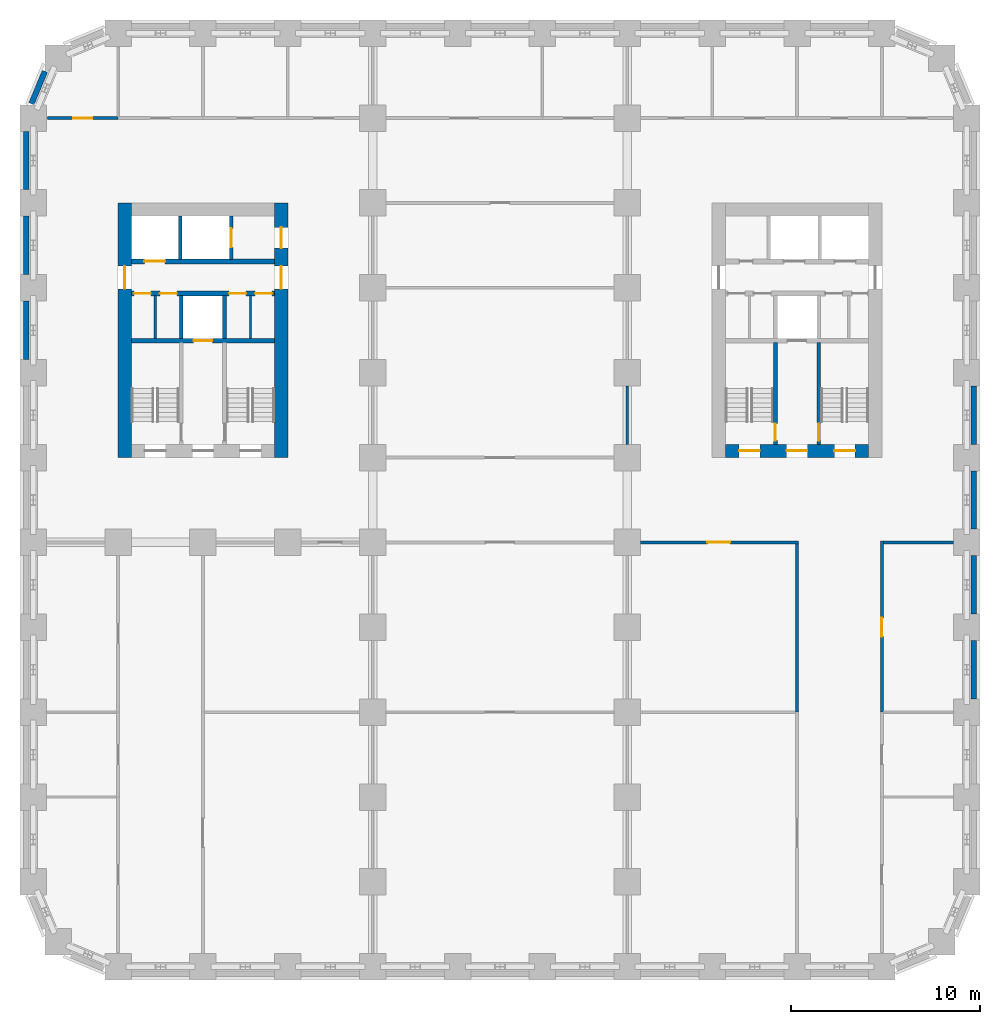
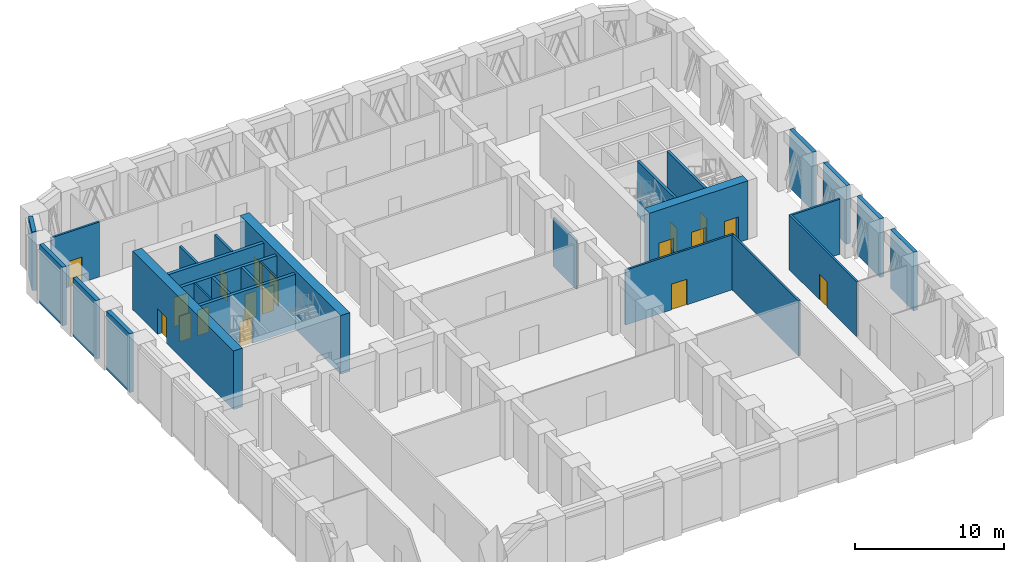
# One storey, part 4 of 9: 28 walls, 18 doors, 18 openings.
"""IFC4 building model written with IfcOpenShell, lengths in metres."""

from ifc_helpers import new_model, si_unit, direction, frame, frame_2d, origin, place, context, subcontext, project, spatial, rectangle, extrude, material, layer, layer_set, type_object, element, fill, save


model = new_model("IFC4")

# Units and contexts
model_context = context("Model", 3, precision=1e-05, world=origin(), true_north=direction((0.0, 1.0)))
body_context = subcontext(model_context, "Body", "Model", "MODEL_VIEW")
ifc_project = project(units=[si_unit("LENGTHUNIT", "METRE"), si_unit("AREAUNIT", "SQUARE_METRE"), si_unit("VOLUMEUNIT", "CUBIC_METRE"), si_unit("PLANEANGLEUNIT", "RADIAN"), si_unit("MASSUNIT", "GRAM", prefix="KILO")], contexts=[model_context])

# Site, building, storey
site_placement = place(None, origin())
site = spatial("IfcSite", under=ifc_project, at=site_placement, CompositionType="ELEMENT")
building_placement = place(site_placement, origin())
building = spatial("IfcBuilding", under=site, at=building_placement, Name="Girih Gate Residences", CompositionType="ELEMENT")
storey_placement = place(building_placement, frame((0.0, 0.0, 75.199951171875)))
storey = spatial("IfcBuildingStorey", under=building, at=storey_placement, Name="L20", CompositionType="ELEMENT", Elevation=75.199951171875)

# Wall
ifc_material_1 = material(Name="Gypsum board on steel studs", Category="steel")
ifc_layer_1 = layer(ifc_material_1, 0.14990234375)
ifc_layer_set_1 = layer_set([ifc_layer_1], Name="Compartment wall 150 mm")
wall_type_1 = type_object("IfcWallType", Name="Compartment wall 150 mm", PredefinedType="PARTITIONING", material=ifc_layer_set_1)
wall_1_placement = place(storey_placement, frame((31.5, 27.699951171875, 0.0), z_axis=(0.0, 0.0, 1.0), x_axis=(0.0, 1.0, 0.0)))
element("IfcWall", 1, at=wall_1_placement, inside=storey, type_object=wall_type_1, Name="L20 partition", PredefinedType="PARTITIONING", context=body_context, shape_type="SweptSolid", body=[
    extrude(rectangle(XDim=3.10009765625, YDim=0.14990234375, at=frame_2d((1.550048828125, 0.0))), origin(), (0.0, 0.0, 1.0), 3.97998046875),
])

# Wall, opening, door
wall_2_placement = place(storey_placement, frame((40.574951171875, 22.5, 0.0), z_axis=(0.0, 0.0, 1.0), x_axis=(-1.0, 0.0, 0.0)))
wall_2 = element("IfcWall", 2, at=wall_2_placement, inside=storey, type_object=wall_type_1, Name="L20 partition", PredefinedType="PARTITIONING", context=body_context, shape_type="SweptSolid", body=[
    extrude(rectangle(XDim=8.375, YDim=0.14990234375, at=frame_2d((4.1875, 0.0))), origin(), (0.0, 0.0, 1.0), 4.5),
])
opening_1_placement = place(wall_2_placement, frame((3.625, 0.0, 0.0)))
opening_1 = element("IfcOpeningElement", 3, at=opening_1_placement, cuts=wall_2, Name="Opening D-L20-S-007", PredefinedType="OPENING", context=body_context, shape_type="SweptSolid", body=[
    extrude(rectangle(XDim=1.199951171875, YDim=2.10009765625, at=frame_2d((0.60009765625, 1.050048828125))), frame((0.0, 0.0849609375, 0.0), z_axis=(0.0, -1.0, 0.0), x_axis=(1.0, 0.0, 0.0)), (0.0, 0.0, 1.0), 0.169921875),
])
ifc_material_2 = material(Name="Timber, fire-rated core", Category="wood")
door_type_1 = type_object("IfcDoorType", Name="Gallery fire door 1200x2100 FD30S", OperationType="SINGLE_SWING_LEFT", PredefinedType="DOOR", material=ifc_material_2)
door_1_placement = place(opening_1_placement, origin())
door_1 = element("IfcDoor", 4, at=door_1_placement, inside=storey, type_object=door_type_1, Name="Door L20-007", OperationType="SINGLE_SWING_RIGHT", OverallHeight=2.10009765625, OverallWidth=1.199951171875, PredefinedType="DOOR", context=body_context, shape_type="SweptSolid", body=[
    extrude(rectangle(XDim=1.199951171875, YDim=2.10009765625, at=frame_2d((0.60009765625, 1.050048828125))), frame((0.0, 0.02490234375, 0.0), z_axis=(0.0, -1.0, 0.0), x_axis=(1.0, 0.0, 0.0)), (0.0, 0.0, 1.0), 0.050048828125),
])
fill(opening_1, door_1)

# Walls
wall_3_placement = place(storey_placement, frame((45.074951171875, 22.5, 0.0), z_axis=(0.0, 0.0, 1.0), x_axis=(1.0, 0.0, 0.0)))
element("IfcWall", 5, at=wall_3_placement, inside=storey, type_object=wall_type_1, Name="L20 partition", PredefinedType="PARTITIONING", context=body_context, shape_type="SweptSolid", body=[
    extrude(rectangle(XDim=3.72509765625, YDim=0.14990234375, at=frame_2d((1.862548828125, 0.0))), origin(), (0.0, 0.0, 1.0), 4.5),
])
wall_4_placement = place(storey_placement, frame((40.5, 13.5, 0.0), z_axis=(0.0, 0.0, 1.0), x_axis=(0.0, 1.0, 0.0)))
element("IfcWall", 6, at=wall_4_placement, inside=storey, type_object=wall_type_1, Name="L20 partition", PredefinedType="PARTITIONING", context=body_context, shape_type="SweptSolid", body=[
    extrude(rectangle(XDim=8.925048828125, YDim=0.14990234375, at=frame_2d((4.46240234375, 0.0))), origin(), (0.0, 0.0, 1.0), 4.5),
])

# Wall, opening, door
wall_5_placement = place(storey_placement, frame((45.0, 22.574951171875, 0.0), z_axis=(0.0, 0.0, 1.0), x_axis=(0.0, -1.0, 0.0)))
wall_5 = element("IfcWall", 7, at=wall_5_placement, inside=storey, type_object=wall_type_1, Name="L20 partition", PredefinedType="PARTITIONING", context=body_context, shape_type="SweptSolid", body=[
    extrude(rectangle(XDim=9.074951171875, YDim=0.14990234375, at=frame_2d((4.53759765625, 0.0))), origin(), (0.0, 0.0, 1.0), 4.5),
])
opening_2_placement = place(wall_5_placement, frame((4.074951171875, 0.0, 0.0)))
opening_2 = element("IfcOpeningElement", 8, at=opening_2_placement, cuts=wall_5, Name="Opening D-L20-S-015", PredefinedType="OPENING", context=body_context, shape_type="SweptSolid", body=[
    extrude(rectangle(XDim=1.0, YDim=2.10009765625, at=frame_2d((0.5, 1.050048828125))), frame((0.0, 0.0849609375, 0.0), z_axis=(0.0, -1.0, 0.0), x_axis=(1.0, 0.0, 0.0)), (0.0, 0.0, 1.0), 0.169921875),
])
ifc_material_3 = material(Name="Painted steel, fire-resisting", Category="steel")
door_type_2 = type_object("IfcDoorType", Name="Plant room door 1000x2100 FD60", OperationType="SINGLE_SWING_LEFT", PredefinedType="DOOR", material=ifc_material_3)
door_2_placement = place(opening_2_placement, origin())
door_2 = element("IfcDoor", 9, at=door_2_placement, inside=storey, type_object=door_type_2, Name="Door L20-015", OperationType="SINGLE_SWING_RIGHT", OverallHeight=2.10009765625, OverallWidth=1.0, PredefinedType="DOOR", context=body_context, shape_type="SweptSolid", body=[
    extrude(rectangle(XDim=1.0, YDim=2.10009765625, at=frame_2d((0.5, 1.050048828125))), frame((0.0, 0.02490234375, 0.0), z_axis=(0.0, -1.0, 0.0), x_axis=(1.0, 0.0, 0.0)), (0.0, 0.0, 1.0), 0.050048828125),
])
fill(opening_2, door_2)

wall_6_placement = place(storey_placement, frame((0.757568359375, 45.0, 0.0), z_axis=(0.0, 0.0, 1.0), x_axis=(1.0, 0.0, 0.0)))
wall_6 = element("IfcWall", 10, at=wall_6_placement, inside=storey, type_object=wall_type_1, Name="L20 partition", PredefinedType="PARTITIONING", context=body_context, shape_type="SweptSolid", body=[
    extrude(rectangle(XDim=3.742431640625, YDim=0.14990234375, at=frame_2d((1.87109375, 0.0))), origin(), (0.0, 0.0, 1.0), 4.5),
])
opening_3_placement = place(wall_6_placement, frame((1.37109375, 0.0, 0.0)))
opening_3 = element("IfcOpeningElement", 11, at=opening_3_placement, cuts=wall_6, Name="Opening D-L20-S-017", PredefinedType="OPENING", context=body_context, shape_type="SweptSolid", body=[
    extrude(rectangle(XDim=1.0, YDim=2.10009765625, at=frame_2d((0.5, 1.050048828125))), frame((0.0, 0.0849609375, 0.0), z_axis=(0.0, -1.0, 0.0), x_axis=(1.0, 0.0, 0.0)), (0.0, 0.0, 1.0), 0.169921875),
])
door_3_placement = place(opening_3_placement, origin())
door_3 = element("IfcDoor", 12, at=door_3_placement, inside=storey, type_object=door_type_2, Name="Door L20-017", OperationType="SINGLE_SWING_RIGHT", OverallHeight=2.10009765625, OverallWidth=1.0, PredefinedType="DOOR", context=body_context, shape_type="SweptSolid", body=[
    extrude(rectangle(XDim=1.0, YDim=2.10009765625, at=frame_2d((0.5, 1.050048828125))), frame((0.0, 0.02490234375, 0.0), z_axis=(0.0, -1.0, 0.0), x_axis=(1.0, 0.0, 0.0)), (0.0, 0.0, 1.0), 0.050048828125),
])
fill(opening_3, door_3)

ifc_material_4 = material(Name="Concrete C60/75", Category="concrete")
ifc_layer_2 = layer(ifc_material_4, 0.699951171875)
ifc_layer_set_2 = layer_set([ifc_layer_2], Name="Core wall RC 700 Concrete C60/75")
wall_type_2 = type_object("IfcWallType", Name="Core wall RC 700 Concrete C60/75", PredefinedType="SOLIDWALL", material=ifc_layer_set_2)
wall_7_placement = place(storey_placement, frame((4.85009765625, 27.0, 0.0), z_axis=(0.0, 0.0, 1.0), x_axis=(0.0, 1.0, 0.0)))
wall_7 = element("IfcWall", 13, at=wall_7_placement, inside=storey, type_object=wall_type_2, Name="Core wall W-W L20", PredefinedType="SOLIDWALL", context=body_context, shape_type="SweptSolid", body=[
    extrude(rectangle(XDim=13.5, YDim=0.699951171875, at=frame_2d((6.75, 0.0))), origin(), (0.0, 0.0, 1.0), 4.800048828125),
])
opening_4_placement = place(wall_7_placement, frame((8.949951171875, 0.0, 0.0)))
opening_4 = element("IfcOpeningElement", 14, at=opening_4_placement, cuts=wall_7, Name="Opening D-L20-W-014", PredefinedType="OPENING", context=body_context, shape_type="SweptSolid", body=[
    extrude(rectangle(XDim=1.199951171875, YDim=2.10009765625, at=frame_2d((0.60009765625, 1.050048828125))), frame((0.0, 0.35986328125, 0.0), z_axis=(0.0, -1.0, 0.0), x_axis=(1.0, 0.0, 0.0)), (0.0, 0.0, 1.0), 0.719970703125),
])
door_type_3 = type_object("IfcDoorType", Name="Fire door 1200x2100", OperationType="SINGLE_SWING_LEFT", PredefinedType="DOOR", material=ifc_material_3)
door_4_placement = place(opening_4_placement, origin())
door_4 = element("IfcDoor", 15, at=door_4_placement, inside=storey, type_object=door_type_3, Name="L20 W core door ll-w", OperationType="SINGLE_SWING_LEFT", OverallHeight=2.10009765625, OverallWidth=1.199951171875, PredefinedType="DOOR", context=body_context, shape_type="SweptSolid", body=[
    extrude(rectangle(XDim=1.199951171875, YDim=2.10009765625, at=frame_2d((0.60009765625, 1.050048828125))), frame((0.0, 0.02490234375, 0.0), z_axis=(0.0, -1.0, 0.0), x_axis=(1.0, 0.0, 0.0)), (0.0, 0.0, 1.0), 0.050048828125),
])
fill(opening_4, door_4)

# Wall, openings, doors
wall_8_placement = place(storey_placement, frame((13.14990234375, 27.0, 0.0), z_axis=(0.0, 0.0, 1.0), x_axis=(0.0, 1.0, 0.0)))
wall_8 = element("IfcWall", 16, at=wall_8_placement, inside=storey, type_object=wall_type_2, Name="Core wall W-E L20", PredefinedType="SOLIDWALL", context=body_context, shape_type="SweptSolid", body=[
    extrude(rectangle(XDim=13.5, YDim=0.699951171875, at=frame_2d((6.75, 0.0))), origin(), (0.0, 0.0, 1.0), 4.800048828125),
])
opening_5_placement = place(wall_8_placement, frame((11.10009765625, 0.0, 0.0)))
opening_5 = element("IfcOpeningElement", 17, at=opening_5_placement, cuts=wall_8, Name="Opening D-L20-W-013", PredefinedType="OPENING", context=body_context, shape_type="SweptSolid", body=[
    extrude(rectangle(XDim=1.10009765625, YDim=2.10009765625, at=frame_2d((0.550048828125, 1.050048828125))), frame((0.0, 0.35986328125, 0.0), z_axis=(0.0, -1.0, 0.0), x_axis=(1.0, 0.0, 0.0)), (0.0, 0.0, 1.0), 0.719970703125),
])
opening_6_placement = place(wall_8_placement, frame((8.949951171875, 0.0, 0.0)))
opening_6 = element("IfcOpeningElement", 18, at=opening_6_placement, cuts=wall_8, Name="Opening D-L20-W-015", PredefinedType="OPENING", context=body_context, shape_type="SweptSolid", body=[
    extrude(rectangle(XDim=1.199951171875, YDim=2.10009765625, at=frame_2d((0.60009765625, 1.050048828125))), frame((0.0, 0.35986328125, 0.0), z_axis=(0.0, -1.0, 0.0), x_axis=(1.0, 0.0, 0.0)), (0.0, 0.0, 1.0), 0.719970703125),
])
door_type_4 = type_object("IfcDoorType", Name="Fire door 1100x2100", OperationType="SINGLE_SWING_LEFT", PredefinedType="DOOR", material=ifc_material_3)
door_5_placement = place(opening_5_placement, origin())
door_5 = element("IfcDoor", 19, at=door_5_placement, inside=storey, type_object=door_type_4, Name="L20 W core door ffl2-e", OperationType="SINGLE_SWING_LEFT", OverallHeight=2.10009765625, OverallWidth=1.10009765625, PredefinedType="DOOR", context=body_context, shape_type="SweptSolid", body=[
    extrude(rectangle(XDim=1.10009765625, YDim=2.10009765625, at=frame_2d((0.550048828125, 1.050048828125))), frame((0.0, 0.02490234375, 0.0), z_axis=(0.0, -1.0, 0.0), x_axis=(1.0, 0.0, 0.0)), (0.0, 0.0, 1.0), 0.050048828125),
])
fill(opening_5, door_5)
door_6_placement = place(opening_6_placement, origin())
door_6 = element("IfcDoor", 20, at=door_6_placement, inside=storey, type_object=door_type_3, Name="L20 W core door ll-e", OperationType="SINGLE_SWING_LEFT", OverallHeight=2.10009765625, OverallWidth=1.199951171875, PredefinedType="DOOR", context=body_context, shape_type="SweptSolid", body=[
    extrude(rectangle(XDim=1.199951171875, YDim=2.10009765625, at=frame_2d((0.60009765625, 1.050048828125))), frame((0.0, 0.02490234375, 0.0), z_axis=(0.0, -1.0, 0.0), x_axis=(1.0, 0.0, 0.0)), (0.0, 0.0, 1.0), 0.050048828125),
])
fill(opening_6, door_6)

wall_9_placement = place(storey_placement, frame((36.699951171875, 27.35009765625, 0.0), z_axis=(0.0, 0.0, 1.0), x_axis=(1.0, 0.0, 0.0)))
wall_9 = element("IfcWall", 21, at=wall_9_placement, inside=storey, type_object=wall_type_2, Name="Core wall E-S L20", PredefinedType="SOLIDWALL", context=body_context, shape_type="SweptSolid", body=[
    extrude(rectangle(XDim=7.60009765625, YDim=0.699951171875, at=frame_2d((3.800048828125, 0.0))), origin(), (0.0, 0.0, 1.0), 4.800048828125),
])
opening_7_placement = place(wall_9_placement, frame((5.77490234375, 0.0, 0.0)))
opening_7 = element("IfcOpeningElement", 22, at=opening_7_placement, cuts=wall_9, Name="Opening D-L20-E-011", PredefinedType="OPENING", context=body_context, shape_type="SweptSolid", body=[
    extrude(rectangle(XDim=1.10009765625, YDim=2.10009765625, at=frame_2d((0.550048828125, 1.050048828125))), frame((0.0, 0.35986328125, 0.0), z_axis=(0.0, -1.0, 0.0), x_axis=(1.0, 0.0, 0.0)), (0.0, 0.0, 1.0), 0.719970703125),
])
opening_8_placement = place(wall_9_placement, frame((3.25, 0.0, 0.0)))
opening_8 = element("IfcOpeningElement", 23, at=opening_8_placement, cuts=wall_9, Name="Opening D-L20-E-012", PredefinedType="OPENING", context=body_context, shape_type="SweptSolid", body=[
    extrude(rectangle(XDim=1.10009765625, YDim=2.10009765625, at=frame_2d((0.550048828125, 1.050048828125))), frame((0.0, 0.35986328125, 0.0), z_axis=(0.0, -1.0, 0.0), x_axis=(1.0, 0.0, 0.0)), (0.0, 0.0, 1.0), 0.719970703125),
])
opening_9_placement = place(wall_9_placement, frame((0.72509765625, 0.0, 0.0)))
opening_9 = element("IfcOpeningElement", 24, at=opening_9_placement, cuts=wall_9, Name="Opening D-L20-E-013", PredefinedType="OPENING", context=body_context, shape_type="SweptSolid", body=[
    extrude(rectangle(XDim=1.10009765625, YDim=2.10009765625, at=frame_2d((0.550048828125, 1.050048828125))), frame((0.0, 0.35986328125, 0.0), z_axis=(0.0, -1.0, 0.0), x_axis=(1.0, 0.0, 0.0)), (0.0, 0.0, 1.0), 0.719970703125),
])
door_7_placement = place(opening_7_placement, origin())
door_7 = element("IfcDoor", 25, at=door_7_placement, inside=storey, type_object=door_type_4, Name="L20 E core door sta-out", OperationType="SINGLE_SWING_LEFT", OverallHeight=2.10009765625, OverallWidth=1.10009765625, PredefinedType="DOOR", context=body_context, shape_type="SweptSolid", body=[
    extrude(rectangle(XDim=1.10009765625, YDim=2.10009765625, at=frame_2d((0.550048828125, 1.050048828125))), frame((0.0, 0.02490234375, 0.0), z_axis=(0.0, -1.0, 0.0), x_axis=(1.0, 0.0, 0.0)), (0.0, 0.0, 1.0), 0.050048828125),
])
fill(opening_7, door_7)
door_8_placement = place(opening_8_placement, origin())
door_8 = element("IfcDoor", 26, at=door_8_placement, inside=storey, type_object=door_type_4, Name="L20 E core door ffl-out", OperationType="SINGLE_SWING_LEFT", OverallHeight=2.10009765625, OverallWidth=1.10009765625, PredefinedType="DOOR", context=body_context, shape_type="SweptSolid", body=[
    extrude(rectangle(XDim=1.10009765625, YDim=2.10009765625, at=frame_2d((0.550048828125, 1.050048828125))), frame((0.0, 0.02490234375, 0.0), z_axis=(0.0, -1.0, 0.0), x_axis=(1.0, 0.0, 0.0)), (0.0, 0.0, 1.0), 0.050048828125),
])
fill(opening_8, door_8)
door_9_placement = place(opening_9_placement, origin())
door_9 = element("IfcDoor", 27, at=door_9_placement, inside=storey, type_object=door_type_4, Name="L20 E core door stb-out", OperationType="SINGLE_SWING_LEFT", OverallHeight=2.10009765625, OverallWidth=1.10009765625, PredefinedType="DOOR", context=body_context, shape_type="SweptSolid", body=[
    extrude(rectangle(XDim=1.10009765625, YDim=2.10009765625, at=frame_2d((0.550048828125, 1.050048828125))), frame((0.0, 0.02490234375, 0.0), z_axis=(0.0, -1.0, 0.0), x_axis=(1.0, 0.0, 0.0)), (0.0, 0.0, 1.0), 0.050048828125),
])
fill(opening_9, door_9)

# Wall, opening, door
ifc_material_5 = material(Name="Concrete C40/50", Category="concrete")
ifc_layer_3 = layer(ifc_material_5, 0.25)
ifc_layer_set_3 = layer_set([ifc_layer_3], Name="Lift shaft wall 250")
wall_type_3 = type_object("IfcWallType", Name="Lift shaft wall 250", PredefinedType="SOLIDWALL", material=ifc_layer_set_3)
wall_10_placement = place(storey_placement, frame((5.199951171875, 33.199951171875, 0.0), z_axis=(0.0, 0.0, 1.0), x_axis=(1.0, 0.0, 0.0)))
wall_10 = element("IfcWall", 28, at=wall_10_placement, inside=storey, type_object=wall_type_3, Name="L20 W core wall H1", PredefinedType="SOLIDWALL", context=body_context, shape_type="SweptSolid", body=[
    extrude(rectangle(XDim=7.60009765625, YDim=0.25, at=frame_2d((3.800048828125, 0.0))), origin(), (0.0, 0.0, 1.0), 4.5),
])
opening_10_placement = place(wall_10_placement, frame((3.300048828125, 0.0, 0.0)))
opening_10 = element("IfcOpeningElement", 29, at=opening_10_placement, cuts=wall_10, Name="Opening D-L20-W-005", PredefinedType="OPENING", context=body_context, shape_type="SweptSolid", body=[
    extrude(rectangle(XDim=1.0, YDim=2.10009765625, at=frame_2d((0.5, 1.050048828125))), frame((0.0, 0.135009765625, 0.0), z_axis=(0.0, -1.0, 0.0), x_axis=(1.0, 0.0, 0.0)), (0.0, 0.0, 1.0), 0.27001953125),
])
ifc_material_6 = material(Name="Stainless steel, fire-resisting", Category="steel")
door_type_5 = type_object("IfcDoorType", Name="Firefighting lift landing door 1000x2100", OperationType="SLIDING_TO_LEFT", PredefinedType="DOOR", material=ifc_material_6)
door_10_placement = place(opening_10_placement, origin())
door_10 = element("IfcDoor", 30, at=door_10_placement, inside=storey, type_object=door_type_5, Name="L20 lift FF-W landing door", OperationType="SLIDING_TO_LEFT", OverallHeight=2.10009765625, OverallWidth=1.0, PredefinedType="DOOR", context=body_context, shape_type="SweptSolid", body=[
    extrude(rectangle(XDim=1.0, YDim=2.10009765625, at=frame_2d((0.5, 1.050048828125))), frame((0.0, 0.02490234375, 0.0), z_axis=(0.0, -1.0, 0.0), x_axis=(1.0, 0.0, 0.0)), (0.0, 0.0, 1.0), 0.050048828125),
])
fill(opening_10, door_10)

# Wall, openings, doors
wall_11_placement = place(storey_placement, frame((5.199951171875, 35.699951171875, 0.0), z_axis=(0.0, 0.0, 1.0), x_axis=(1.0, 0.0, 0.0)))
wall_11 = element("IfcWall", 31, at=wall_11_placement, inside=storey, type_object=wall_type_3, Name="L20 W core wall H2", PredefinedType="SOLIDWALL", context=body_context, shape_type="SweptSolid", body=[
    extrude(rectangle(XDim=7.60009765625, YDim=0.25, at=frame_2d((3.800048828125, 0.0))), origin(), (0.0, 0.0, 1.0), 4.5),
])
opening_11_placement = place(wall_11_placement, frame((0.137451171875, 0.0, 0.0)))
opening_11 = element("IfcOpeningElement", 32, at=opening_11_placement, cuts=wall_11, Name="Opening D-L20-W-006", PredefinedType="OPENING", context=body_context, shape_type="SweptSolid", body=[
    extrude(rectangle(XDim=0.89990234375, YDim=2.10009765625, at=frame_2d((0.449951171875, 1.050048828125))), frame((0.0, 0.135009765625, 0.0), z_axis=(0.0, -1.0, 0.0), x_axis=(1.0, 0.0, 0.0)), (0.0, 0.0, 1.0), 0.27001953125),
])
opening_12_placement = place(wall_11_placement, frame((1.512451171875, 0.0, 0.0)))
opening_12 = element("IfcOpeningElement", 33, at=opening_12_placement, cuts=wall_11, Name="Opening D-L20-W-007", PredefinedType="OPENING", context=body_context, shape_type="SweptSolid", body=[
    extrude(rectangle(XDim=0.89990234375, YDim=2.10009765625, at=frame_2d((0.449951171875, 1.050048828125))), frame((0.0, 0.135009765625, 0.0), z_axis=(0.0, -1.0, 0.0), x_axis=(1.0, 0.0, 0.0)), (0.0, 0.0, 1.0), 0.27001953125),
])
opening_13_placement = place(wall_11_placement, frame((5.1875, 0.0, 0.0)))
opening_13 = element("IfcOpeningElement", 34, at=opening_13_placement, cuts=wall_11, Name="Opening D-L20-W-008", PredefinedType="OPENING", context=body_context, shape_type="SweptSolid", body=[
    extrude(rectangle(XDim=0.89990234375, YDim=2.10009765625, at=frame_2d((0.449951171875, 1.050048828125))), frame((0.0, 0.135009765625, 0.0), z_axis=(0.0, -1.0, 0.0), x_axis=(1.0, 0.0, 0.0)), (0.0, 0.0, 1.0), 0.27001953125),
])
opening_14_placement = place(wall_11_placement, frame((6.5625, 0.0, 0.0)))
opening_14 = element("IfcOpeningElement", 35, at=opening_14_placement, cuts=wall_11, Name="Opening D-L20-W-009", PredefinedType="OPENING", context=body_context, shape_type="SweptSolid", body=[
    extrude(rectangle(XDim=0.89990234375, YDim=2.10009765625, at=frame_2d((0.449951171875, 1.050048828125))), frame((0.0, 0.135009765625, 0.0), z_axis=(0.0, -1.0, 0.0), x_axis=(1.0, 0.0, 0.0)), (0.0, 0.0, 1.0), 0.27001953125),
])
door_type_6 = type_object("IfcDoorType", Name="Fire door 900x2100", OperationType="SINGLE_SWING_LEFT", PredefinedType="DOOR", material=ifc_material_3)
door_11_placement = place(opening_11_placement, origin())
door_11 = element("IfcDoor", 36, at=door_11_placement, inside=storey, type_object=door_type_6, Name="L20 W mechanical store door", OperationType="SINGLE_SWING_LEFT", OverallHeight=2.10009765625, OverallWidth=0.89990234375, PredefinedType="DOOR", context=body_context, shape_type="SweptSolid", body=[
    extrude(rectangle(XDim=0.89990234375, YDim=2.10009765625, at=frame_2d((0.449951171875, 1.050048828125))), frame((0.0, 0.02490234375, 0.0), z_axis=(0.0, -1.0, 0.0), x_axis=(1.0, 0.0, 0.0)), (0.0, 0.0, 1.0), 0.050048828125),
])
fill(opening_11, door_11)
door_12_placement = place(opening_12_placement, origin())
door_12 = element("IfcDoor", 37, at=door_12_placement, inside=storey, type_object=door_type_6, Name="L20 W mechanical store door", OperationType="SINGLE_SWING_LEFT", OverallHeight=2.10009765625, OverallWidth=0.89990234375, PredefinedType="DOOR", context=body_context, shape_type="SweptSolid", body=[
    extrude(rectangle(XDim=0.89990234375, YDim=2.10009765625, at=frame_2d((0.449951171875, 1.050048828125))), frame((0.0, 0.02490234375, 0.0), z_axis=(0.0, -1.0, 0.0), x_axis=(1.0, 0.0, 0.0)), (0.0, 0.0, 1.0), 0.050048828125),
])
fill(opening_12, door_12)
door_13_placement = place(opening_13_placement, origin())
door_13 = element("IfcDoor", 38, at=door_13_placement, inside=storey, type_object=door_type_6, Name="L20 W mechanical store door", OperationType="SINGLE_SWING_LEFT", OverallHeight=2.10009765625, OverallWidth=0.89990234375, PredefinedType="DOOR", context=body_context, shape_type="SweptSolid", body=[
    extrude(rectangle(XDim=0.89990234375, YDim=2.10009765625, at=frame_2d((0.449951171875, 1.050048828125))), frame((0.0, 0.02490234375, 0.0), z_axis=(0.0, -1.0, 0.0), x_axis=(1.0, 0.0, 0.0)), (0.0, 0.0, 1.0), 0.050048828125),
])
fill(opening_13, door_13)
door_14_placement = place(opening_14_placement, origin())
door_14 = element("IfcDoor", 39, at=door_14_placement, inside=storey, type_object=door_type_6, Name="L20 W mechanical electrical room door", OperationType="SINGLE_SWING_LEFT", OverallHeight=2.10009765625, OverallWidth=0.89990234375, PredefinedType="DOOR", context=body_context, shape_type="SweptSolid", body=[
    extrude(rectangle(XDim=0.89990234375, YDim=2.10009765625, at=frame_2d((0.449951171875, 1.050048828125))), frame((0.0, 0.02490234375, 0.0), z_axis=(0.0, -1.0, 0.0), x_axis=(1.0, 0.0, 0.0)), (0.0, 0.0, 1.0), 0.050048828125),
])
fill(opening_14, door_14)

# Wall, opening, door
wall_12_placement = place(storey_placement, frame((5.199951171875, 37.39990234375, 0.0), z_axis=(0.0, 0.0, 1.0), x_axis=(1.0, 0.0, 0.0)))
wall_12 = element("IfcWall", 40, at=wall_12_placement, inside=storey, type_object=wall_type_3, Name="L20 W core wall H3", PredefinedType="SOLIDWALL", context=body_context, shape_type="SweptSolid", body=[
    extrude(rectangle(XDim=7.60009765625, YDim=0.25, at=frame_2d((3.800048828125, 0.0))), origin(), (0.0, 0.0, 1.0), 4.5),
])
opening_15_placement = place(wall_12_placement, frame((0.699951171875, 0.0, 0.0)))
opening_15 = element("IfcOpeningElement", 41, at=opening_15_placement, cuts=wall_12, Name="Opening D-L20-W-003", PredefinedType="OPENING", context=body_context, shape_type="SweptSolid", body=[
    extrude(rectangle(XDim=1.10009765625, YDim=2.39990234375, at=frame_2d((0.550048828125, 1.199951171875))), frame((0.0, 0.135009765625, 0.0), z_axis=(0.0, -1.0, 0.0), x_axis=(1.0, 0.0, 0.0)), (0.0, 0.0, 1.0), 0.27001953125),
])
ifc_material_7 = material(Name="Stainless steel", Category="steel")
door_type_7 = type_object("IfcDoorType", Name="Lift landing door 1100x2400", OperationType="SLIDING_TO_LEFT", PredefinedType="DOOR", material=ifc_material_7)
door_15_placement = place(opening_15_placement, origin())
door_15 = element("IfcDoor", 42, at=door_15_placement, inside=storey, type_object=door_type_7, Name="L20 lift LR-W1 landing door", OperationType="SLIDING_TO_LEFT", OverallHeight=2.39990234375, OverallWidth=1.10009765625, PredefinedType="DOOR", context=body_context, shape_type="SweptSolid", body=[
    extrude(rectangle(XDim=1.10009765625, YDim=2.39990234375, at=frame_2d((0.550048828125, 1.199951171875))), frame((0.0, 0.02490234375, 0.0), z_axis=(0.0, -1.0, 0.0), x_axis=(1.0, 0.0, 0.0)), (0.0, 0.0, 1.0), 0.050048828125),
])
fill(opening_15, door_15)

# Walls
ifc_material_8 = material(Name="Precast concrete C50/60", Category="concrete")
ifc_layer_4 = layer(ifc_material_8, 0.080078125, Name="Outer leaf")
ifc_material_9 = material(Name="Rigid PIR insulation")
ifc_layer_5 = layer(ifc_material_9, 0.14990234375, Name="Insulation")
ifc_material_10 = material(Name="Precast concrete C40/50", Category="concrete")
ifc_layer_6 = layer(ifc_material_10, 0.070068359375, Name="Inner leaf")
ifc_layer_set_4 = layer_set([ifc_layer_4, ifc_layer_5, ifc_layer_6], Name="Precast concrete C50/60 external wall 300")
wall_type_4 = type_object("IfcWallType", Name="Precast concrete C50/60 external wall 300", PredefinedType="SOLIDWALL", material=ifc_layer_set_4)
for number, where, z_axis, x_axis, name in (
    (43, (49.875, 17.300048828125, 0.0), (0.0, 0.0, 1.0), (0.0, -1.0, 0.0), "External wall E0495_0045.2"),
    (44, (49.875, 21.800048828125, 0.0), (0.0, 0.0, 1.0), (0.0, -1.0, 0.0), "External wall E0495_0045.3"),
    (45, (49.875, 26.300048828125, 0.0), (0.0, 0.0, 1.0), (0.0, -1.0, 0.0), "External wall E0495_0045.4"),
    (46, (49.875, 30.800048828125, 0.0), (0.0, 0.0, 1.0), (0.0, -1.0, 0.0), "External wall E0495_0045.5"),
):
    element("IfcWall", number, at=place(storey_placement, frame(where, z_axis=z_axis, x_axis=x_axis)), inside=storey, type_object=wall_type_4, Name=name, PredefinedType="SOLIDWALL", context=body_context, shape_type="SweptSolid", body=[
        extrude(rectangle(XDim=3.10009765625, YDim=0.300048828125, at=frame_2d((1.550048828125, 0.0))), origin(), (0.0, 0.0, 1.0), 4.800048828125),
    ])
wall_13_placement = place(storey_placement, frame((-0.09228515625, 45.75732421875, 0.0), z_axis=(0.0, 0.0, 1.0), x_axis=(0.382737135771, 0.923857286003, 0.0)))
element("IfcWall", 47, at=wall_13_placement, inside=storey, type_object=wall_type_4, Name="External wall NW0013_0482.0", PredefinedType="SOLIDWALL", context=body_context, shape_type="SweptSolid", body=[
    extrude(rectangle(XDim=1.865234375, YDim=0.300048828125, at=frame_2d((0.9326171875, 0.0))), origin(), (0.0, 0.0, 1.0), 4.800048828125),
])
for number, where, z_axis, x_axis, name in (
    (48, (-0.375, 41.199951171875, 0.0), (0.0, 0.0, 1.0), (0.0, 1.0, 0.0), "External wall W0000_0450.0"),
    (49, (-0.375, 36.699951171875, 0.0), (0.0, 0.0, 1.0), (0.0, 1.0, 0.0), "External wall W0000_0450.1"),
    (50, (-0.375, 32.199951171875, 0.0), (0.0, 0.0, 1.0), (0.0, 1.0, 0.0), "External wall W0000_0450.2"),
):
    element("IfcWall", number, at=place(storey_placement, frame(where, z_axis=z_axis, x_axis=x_axis)), inside=storey, type_object=wall_type_4, Name=name, PredefinedType="SOLIDWALL", context=body_context, shape_type="SweptSolid", body=[
        extrude(rectangle(XDim=3.10009765625, YDim=0.300048828125, at=frame_2d((1.550048828125, 0.0))), origin(), (0.0, 0.0, 1.0), 4.800048828125),
    ])
ifc_layer_7 = layer(ifc_material_5, 0.175048828125)
ifc_layer_set_5 = layer_set([ifc_layer_7], Name="Riser shaft wall 175")
wall_type_5 = type_object("IfcWallType", Name="Riser shaft wall 175", PredefinedType="SOLIDWALL", material=ifc_layer_set_5)
wall_14_placement = place(storey_placement, frame((7.800048828125, 37.5, 0.0), z_axis=(0.0, 0.0, 1.0), x_axis=(0.0, 1.0, 0.0)))
element("IfcWall", 51, at=wall_14_placement, inside=storey, type_object=wall_type_5, Name="L20 W core wall V1c", PredefinedType="SOLIDWALL", context=body_context, shape_type="SweptSolid", body=[
    extrude(rectangle(XDim=2.300048828125, YDim=0.175048828125, at=frame_2d((1.14990234375, 0.0))), origin(), (0.0, 0.0, 1.0), 4.5),
])

# Wall, opening, door
wall_15_placement = place(storey_placement, frame((10.5, 37.5, 0.0), z_axis=(0.0, 0.0, 1.0), x_axis=(0.0, 1.0, 0.0)))
wall_15 = element("IfcWall", 52, at=wall_15_placement, inside=storey, type_object=wall_type_5, Name="L20 W core wall V2c", PredefinedType="SOLIDWALL", context=body_context, shape_type="SweptSolid", body=[
    extrude(rectangle(XDim=2.300048828125, YDim=0.175048828125, at=frame_2d((1.14990234375, 0.0))), origin(), (0.0, 0.0, 1.0), 4.5),
])
opening_16_placement = place(wall_15_placement, frame((0.64990234375, 0.0, 0.0)))
opening_16 = element("IfcOpeningElement", 53, at=opening_16_placement, cuts=wall_15, Name="Opening D-L20-W-004", PredefinedType="OPENING", context=body_context, shape_type="SweptSolid", body=[
    extrude(rectangle(XDim=1.0, YDim=2.10009765625, at=frame_2d((0.5, 1.050048828125))), frame((0.0, 0.097412109375, 0.0), z_axis=(0.0, -1.0, 0.0), x_axis=(1.0, 0.0, 0.0)), (0.0, 0.0, 1.0), 0.195068359375),
])
door_16_placement = place(opening_16_placement, origin())
door_16 = element("IfcDoor", 54, at=door_16_placement, inside=storey, type_object=door_type_5, Name="L20 lift FF-W2 landing door", OperationType="SLIDING_TO_LEFT", OverallHeight=2.10009765625, OverallWidth=1.0, PredefinedType="DOOR", context=body_context, shape_type="SweptSolid", body=[
    extrude(rectangle(XDim=1.0, YDim=2.10009765625, at=frame_2d((0.5, 1.050048828125))), frame((0.0, 0.02490234375, 0.0), z_axis=(0.0, -1.0, 0.0), x_axis=(1.0, 0.0, 0.0)), (0.0, 0.0, 1.0), 0.050048828125),
])
fill(opening_16, door_16)

# Walls
ifc_layer_8 = layer(ifc_material_5, 0.199951171875)
ifc_layer_set_6 = layer_set([ifc_layer_8], Name="Shaft wall 200")
wall_type_6 = type_object("IfcWallType", Name="Shaft wall 200", PredefinedType="SOLIDWALL", material=ifc_layer_set_6)
for number, where, z_axis, x_axis, name in (
    (55, (7.85009765625, 33.300048828125, 0.0), (0.0, 0.0, 1.0), (0.0, 1.0, 0.0), "L20 W core wall V1b"),
    (56, (10.14990234375, 33.300048828125, 0.0), (0.0, 0.0, 1.0), (0.0, 1.0, 0.0), "L20 W core wall V2b"),
):
    element("IfcWall", number, at=place(storey_placement, frame(where, z_axis=z_axis, x_axis=x_axis)), inside=storey, type_object=wall_type_6, Name=name, PredefinedType="SOLIDWALL", context=body_context, shape_type="SweptSolid", body=[
        extrude(rectangle(XDim=2.300048828125, YDim=0.199951171875, at=frame_2d((1.14990234375, 0.0))), origin(), (0.0, 0.0, 1.0), 4.5),
    ])

# Wall, opening, door
wall_16_placement = place(storey_placement, frame((41.64990234375, 27.699951171875, 0.0), z_axis=(0.0, 0.0, 1.0), x_axis=(0.0, 1.0, 0.0)))
wall_16 = element("IfcWall", 57, at=wall_16_placement, inside=storey, type_object=wall_type_6, Name="L20 E core wall V1a", PredefinedType="SOLIDWALL", context=body_context, shape_type="SweptSolid", body=[
    extrude(rectangle(XDim=5.400146484375, YDim=0.199951171875, at=frame_2d((2.7001953125, 0.0))), origin(), (0.0, 0.0, 1.0), 4.5),
])
opening_17_placement = place(wall_16_placement, frame((0.199951171875, 0.0, 0.0)))
opening_17 = element("IfcOpeningElement", 58, at=opening_17_placement, cuts=wall_16, Name="Opening D-L20-E-001", PredefinedType="OPENING", context=body_context, shape_type="SweptSolid", body=[
    extrude(rectangle(XDim=0.89990234375, YDim=2.10009765625, at=frame_2d((0.449951171875, 1.050048828125))), frame((0.0, 0.10986328125, 0.0), z_axis=(0.0, -1.0, 0.0), x_axis=(1.0, 0.0, 0.0)), (0.0, 0.0, 1.0), 0.219970703125),
])
door_17_placement = place(opening_17_placement, origin())
door_17 = element("IfcDoor", 59, at=door_17_placement, inside=storey, type_object=door_type_6, Name="L20 E door stair 1 to firefighting lobby", OperationType="SINGLE_SWING_LEFT", OverallHeight=2.10009765625, OverallWidth=0.89990234375, PredefinedType="DOOR", context=body_context, shape_type="SweptSolid", body=[
    extrude(rectangle(XDim=0.89990234375, YDim=2.10009765625, at=frame_2d((0.449951171875, 1.050048828125))), frame((0.0, 0.02490234375, 0.0), z_axis=(0.0, -1.0, 0.0), x_axis=(1.0, 0.0, 0.0)), (0.0, 0.0, 1.0), 0.050048828125),
])
fill(opening_17, door_17)

wall_17_placement = place(storey_placement, frame((39.35009765625, 27.699951171875, 0.0), z_axis=(0.0, 0.0, 1.0), x_axis=(0.0, 1.0, 0.0)))
wall_17 = element("IfcWall", 60, at=wall_17_placement, inside=storey, type_object=wall_type_6, Name="L20 E core wall V2a", PredefinedType="SOLIDWALL", context=body_context, shape_type="SweptSolid", body=[
    extrude(rectangle(XDim=5.400146484375, YDim=0.199951171875, at=frame_2d((2.7001953125, 0.0))), origin(), (0.0, 0.0, 1.0), 4.5),
])
opening_18_placement = place(wall_17_placement, frame((0.199951171875, 0.0, 0.0)))
opening_18 = element("IfcOpeningElement", 61, at=opening_18_placement, cuts=wall_17, Name="Opening D-L20-E-002", PredefinedType="OPENING", context=body_context, shape_type="SweptSolid", body=[
    extrude(rectangle(XDim=0.89990234375, YDim=2.10009765625, at=frame_2d((0.449951171875, 1.050048828125))), frame((0.0, 0.10986328125, 0.0), z_axis=(0.0, -1.0, 0.0), x_axis=(1.0, 0.0, 0.0)), (0.0, 0.0, 1.0), 0.219970703125),
])
door_18_placement = place(opening_18_placement, origin())
door_18 = element("IfcDoor", 62, at=door_18_placement, inside=storey, type_object=door_type_6, Name="L20 E door stair 2 to firefighting lobby", OperationType="SINGLE_SWING_LEFT", OverallHeight=2.10009765625, OverallWidth=0.89990234375, PredefinedType="DOOR", context=body_context, shape_type="SweptSolid", body=[
    extrude(rectangle(XDim=0.89990234375, YDim=2.10009765625, at=frame_2d((0.449951171875, 1.050048828125))), frame((0.0, 0.02490234375, 0.0), z_axis=(0.0, -1.0, 0.0), x_axis=(1.0, 0.0, 0.0)), (0.0, 0.0, 1.0), 0.050048828125),
])
fill(opening_18, door_18)

# Walls
ifc_material_11 = material(Name="Calcium silicate blockwork", Category="masonry")
ifc_layer_9 = layer(ifc_material_11, 0.125)
ifc_layer_set_7 = layer_set([ifc_layer_9], Name="Store partition 125")
wall_type_7 = type_object("IfcWallType", Name="Store partition 125", PredefinedType="PARTITIONING", material=ifc_layer_set_7)
for number, where, z_axis, x_axis, name in (
    (63, (6.47509765625, 33.300048828125, 0.0), (0.0, 0.0, 1.0), (0.0, 1.0, 0.0), "L20 W core wall SHR1"),
    (64, (11.52490234375, 33.300048828125, 0.0), (0.0, 0.0, 1.0), (0.0, 1.0, 0.0), "L20 W core wall SHR2"),
):
    element("IfcWall", number, at=place(storey_placement, frame(where, z_axis=z_axis, x_axis=x_axis)), inside=storey, type_object=wall_type_7, Name=name, PredefinedType="PARTITIONING", context=body_context, shape_type="SweptSolid", body=[
        extrude(rectangle(XDim=2.300048828125, YDim=0.125, at=frame_2d((1.14990234375, 0.0))), origin(), (0.0, 0.0, 1.0), 4.5),
    ])

save(model, "model.ifc")
